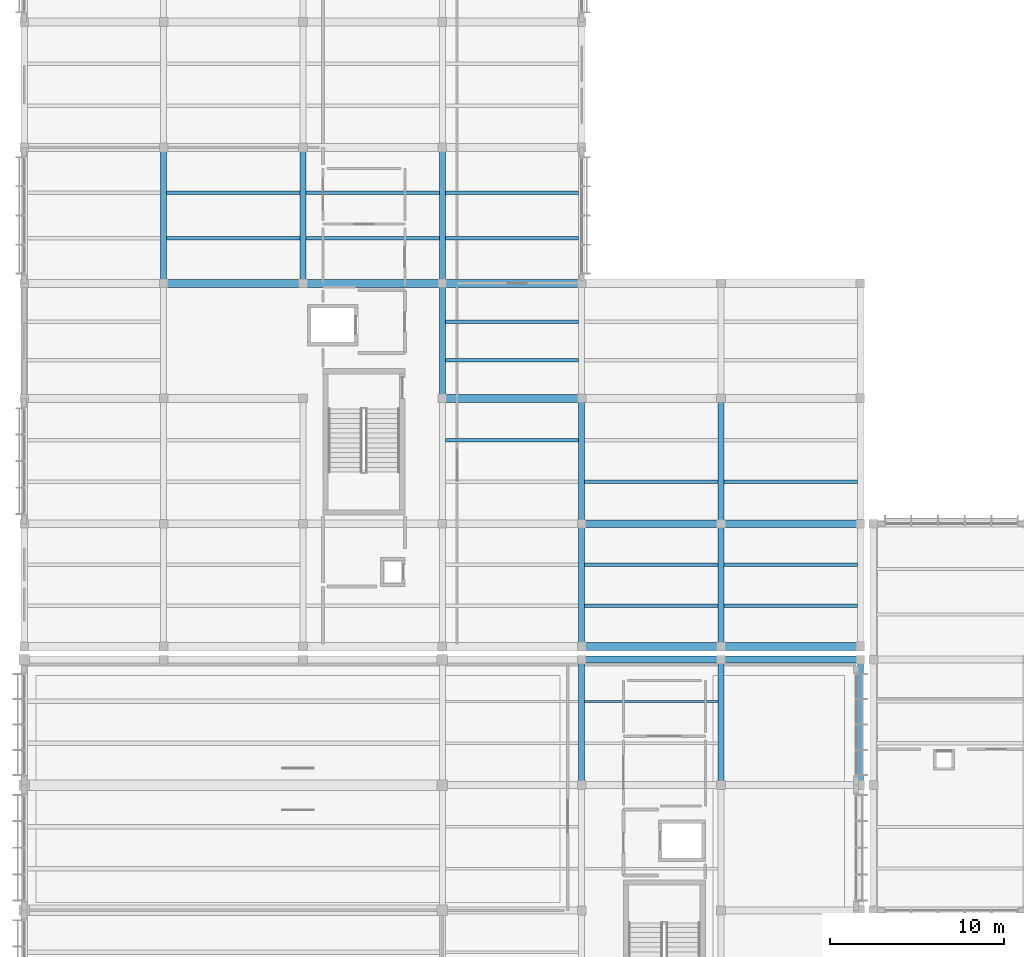
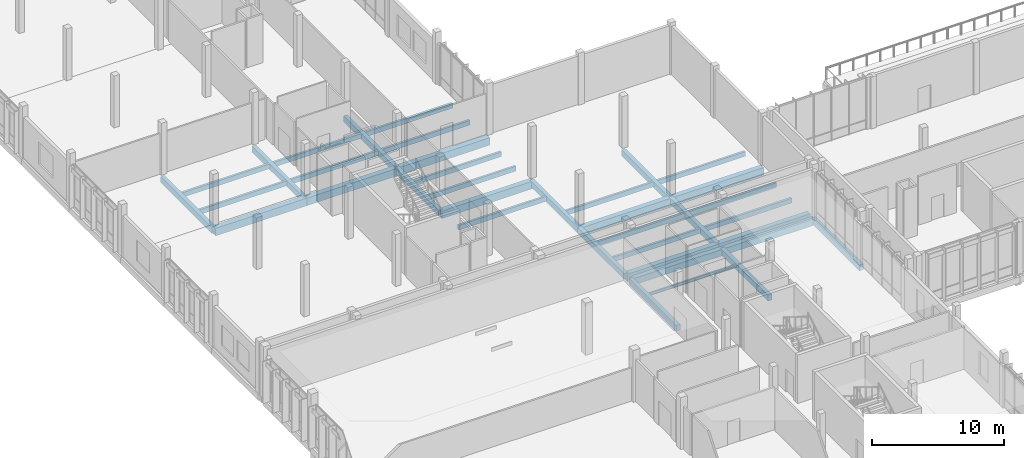
# One storey, part 37 of 177: 37 beams.
"""IFC4 building model written with IfcOpenShell, lengths in metres."""

from ifc_helpers import new_model, si_unit, direction, frame, origin, origin_2d, place, context, subcontext, project, spatial, rectangle, i_section, extrude, material, material_profile, profile_set, type_object, element, save


model = new_model("IFC4")

# Units and contexts
model_context = context("Model", 3, precision=1e-05, world=origin(), true_north=direction((0.0, 1.0)))
body_context = subcontext(model_context, "Body", "Model", "MODEL_VIEW")
ifc_project = project(units=[si_unit("LENGTHUNIT", "METRE"), si_unit("AREAUNIT", "SQUARE_METRE"), si_unit("VOLUMEUNIT", "CUBIC_METRE"), si_unit("PLANEANGLEUNIT", "RADIAN"), si_unit("MASSUNIT", "GRAM", prefix="KILO")], contexts=[model_context])

# Site, building, storey
site_placement = place(None, origin())
site = spatial("IfcSite", under=ifc_project, at=site_placement, CompositionType="ELEMENT")
building_placement = place(site_placement, origin())
building = spatial("IfcBuilding", under=site, at=building_placement, Name="Chiffa Square Polytechnic", CompositionType="ELEMENT")
storey_placement = place(building_placement, frame((0.0, 0.0, 4.800048828125)))
storey = spatial("IfcBuildingStorey", under=building, at=storey_placement, Name="L01", CompositionType="ELEMENT", Elevation=4.800048828125)

# Beams
ifc_material_1 = material(Name="Concrete C35/45", Category="concrete")
ifc_material_profile_1 = material_profile(ifc_material_1, rectangle(XDim=0.35009765625, YDim=0.550048828125, at=origin_2d()), Name="RC 350x550")
ifc_profile_set_1 = profile_set([ifc_material_profile_1], Name="Concrete C35/45")
beam_type_1 = type_object("IfcBeamType", Name="BM-RC-350X550", PredefinedType="BEAM", material=ifc_profile_set_1)
for number, where, z_axis, x_axis, name in (
    (1, (32.0, 28.800048828125, -0.554931640625), (0.0, 1.0, 0.0), (-1.0, 0.0, 0.0), "Primary floor girder BM-V3-L01-Y-0320-0288"),
    (2, (40.0, 28.800048828125, -0.554931640625), (0.0, 1.0, 0.0), (-1.0, 0.0, 0.0), "Primary floor girder BM-V3-L01-Y-0400-0288"),
    (3, (48.0, 28.800048828125, -0.554931640625), (0.0, 1.0, 0.0), (-1.0, 0.0, 0.0), "Primary floor girder BM-V3-L01-Y-0480-0288"),
):
    element("IfcBeam", number, at=place(storey_placement, frame(where, z_axis=z_axis, x_axis=x_axis)), inside=storey, type_object=beam_type_1, Name=name, PredefinedType="BEAM", context=body_context, shape_type="SweptSolid", body=[
        extrude(rectangle(XDim=0.35009765625, YDim=0.550048828125, at=origin_2d()), origin(), (0.0, 0.0, 1.0), 7.199951171875),
    ])
for number, where, z_axis, x_axis, name in (
    (4, (8.0, 57.60009765625, -0.554931640625), (0.0, 1.0, 0.0), (-1.0, 0.0, 0.0), "Primary floor girder BM-V6-L01-Y-0080-0576"),
    (5, (16.0, 57.60009765625, -0.554931640625), (0.0, 1.0, 0.0), (-1.0, 0.0, 0.0), "Primary floor girder BM-V6-L01-Y-0160-0576"),
):
    element("IfcBeam", number, at=place(storey_placement, frame(where, z_axis=z_axis, x_axis=x_axis)), inside=storey, type_object=beam_type_1, Name=name, PredefinedType="BEAM", context=body_context, shape_type="SweptSolid", body=[
        extrude(rectangle(XDim=0.35009765625, YDim=0.550048828125, at=origin_2d()), origin(), (0.0, 0.0, 1.0), 7.7998046875),
    ])
beam_1_placement = place(storey_placement, frame((24.0, 51.0, -0.554931640625), z_axis=(0.0, 1.0, 0.0), x_axis=(-1.0, 0.0, 0.0)))
element("IfcBeam", 6, at=beam_1_placement, inside=storey, type_object=beam_type_1, Name="Primary floor girder BM-V6-L01-Y-0240-0510", PredefinedType="BEAM", context=body_context, shape_type="SweptSolid", body=[
    extrude(rectangle(XDim=0.35009765625, YDim=0.550048828125, at=origin_2d()), origin(), (0.0, 0.0, 1.0), 6.60009765625),
])
beam_2_placement = place(storey_placement, frame((24.0, 57.60009765625, -0.554931640625), z_axis=(0.0, 1.0, 0.0), x_axis=(-1.0, 0.0, 0.0)))
element("IfcBeam", 7, at=beam_2_placement, inside=storey, type_object=beam_type_1, Name="Primary floor girder BM-V6-L01-Y-0240-0576", PredefinedType="BEAM", context=body_context, shape_type="SweptSolid", body=[
    extrude(rectangle(XDim=0.35009765625, YDim=0.550048828125, at=origin_2d()), origin(), (0.0, 0.0, 1.0), 7.7998046875),
])
beam_3_placement = place(storey_placement, frame((32.0, 36.75, -0.554931640625), z_axis=(0.0, 1.0, 0.0), x_axis=(-1.0, 0.0, 0.0)))
element("IfcBeam", 8, at=beam_3_placement, inside=storey, type_object=beam_type_1, Name="Primary floor girder BM-V6-L01-Y-0320-0368", PredefinedType="BEAM", context=body_context, shape_type="SweptSolid", body=[
    extrude(rectangle(XDim=0.35009765625, YDim=0.550048828125, at=origin_2d()), origin(), (0.0, 0.0, 1.0), 7.050048828125),
])
beam_4_placement = place(storey_placement, frame((32.0, 43.800048828125, -0.554931640625), z_axis=(0.0, 1.0, 0.0), x_axis=(-1.0, 0.0, 0.0)))
element("IfcBeam", 9, at=beam_4_placement, inside=storey, type_object=beam_type_1, Name="Primary floor girder BM-V6-L01-Y-0320-0438", PredefinedType="BEAM", context=body_context, shape_type="SweptSolid", body=[
    extrude(rectangle(XDim=0.35009765625, YDim=0.550048828125, at=origin_2d()), origin(), (0.0, 0.0, 1.0), 7.199951171875),
])
beam_5_placement = place(storey_placement, frame((40.0, 36.75, -0.554931640625), z_axis=(0.0, 1.0, 0.0), x_axis=(-1.0, 0.0, 0.0)))
element("IfcBeam", 10, at=beam_5_placement, inside=storey, type_object=beam_type_1, Name="Primary floor girder BM-V6-L01-Y-0400-0368", PredefinedType="BEAM", context=body_context, shape_type="SweptSolid", body=[
    extrude(rectangle(XDim=0.35009765625, YDim=0.550048828125, at=origin_2d()), origin(), (0.0, 0.0, 1.0), 7.050048828125),
])
beam_6_placement = place(storey_placement, frame((40.0, 43.800048828125, -0.554931640625), z_axis=(0.0, 1.0, 0.0), x_axis=(-1.0, 0.0, 0.0)))
element("IfcBeam", 11, at=beam_6_placement, inside=storey, type_object=beam_type_1, Name="Primary floor girder BM-V6-L01-Y-0400-0438", PredefinedType="BEAM", context=body_context, shape_type="SweptSolid", body=[
    extrude(rectangle(XDim=0.35009765625, YDim=0.550048828125, at=origin_2d()), origin(), (0.0, 0.0, 1.0), 7.199951171875),
])
ifc_material_profile_2 = material_profile(ifc_material_1, rectangle(XDim=0.39990234375, YDim=0.60009765625, at=origin_2d()), Name="RC 400x600")
ifc_profile_set_2 = profile_set([ifc_material_profile_2], Name="Concrete C35/45")
beam_type_2 = type_object("IfcBeamType", Name="BM-RC-400X600", PredefinedType="BEAM", material=ifc_profile_set_2)
for number, where, z_axis, x_axis, name in (
    (12, (32.0, 36.0, -0.580078125), (1.0, 0.0, 0.0), (0.0, 1.0, 0.0), "Primary floor girder BM-V3-L01-X-0320-0360"),
    (13, (40.0, 36.0, -0.580078125), (1.0, 0.0, 0.0), (0.0, 1.0, 0.0), "Primary floor girder BM-V3-L01-X-0400-0360"),
):
    element("IfcBeam", number, at=place(storey_placement, frame(where, z_axis=z_axis, x_axis=x_axis)), inside=storey, type_object=beam_type_2, Name=name, PredefinedType="BEAM", context=body_context, shape_type="SweptSolid", body=[
        extrude(rectangle(XDim=0.39990234375, YDim=0.60009765625, at=origin_2d()), origin(), (0.0, 0.0, 1.0), 8.0),
    ])
ifc_material_profile_3 = material_profile(ifc_material_1, rectangle(XDim=0.449951171875, YDim=0.699951171875, at=origin_2d()), Name="RC 450x700")
ifc_profile_set_3 = profile_set([ifc_material_profile_3], Name="Concrete C35/45")
beam_type_3 = type_object("IfcBeamType", Name="BM-RC-450X700", PredefinedType="BEAM", material=ifc_profile_set_3)
for number, where, z_axis, x_axis, name in (
    (14, (32.0, 36.75, -0.630126953125), (1.0, 0.0, 0.0), (0.0, 1.0, 0.0), "Primary floor girder BM-V6-L01-X-0320-0368"),
    (15, (40.0, 36.75, -0.630126953125), (1.0, 0.0, 0.0), (0.0, 1.0, 0.0), "Primary floor girder BM-V6-L01-X-0400-0368"),
    (16, (32.0, 43.800048828125, -0.630126953125), (1.0, 0.0, 0.0), (0.0, 1.0, 0.0), "Primary floor girder BM-V6-L01-X-0320-0438"),
    (17, (40.0, 43.800048828125, -0.630126953125), (1.0, 0.0, 0.0), (0.0, 1.0, 0.0), "Primary floor girder BM-V6-L01-X-0400-0438"),
    (18, (24.0, 51.0, -0.630126953125), (1.0, 0.0, 0.0), (0.0, 1.0, 0.0), "Primary floor girder BM-V6-L01-X-0240-0510"),
    (19, (8.0, 57.60009765625, -0.630126953125), (1.0, 0.0, 0.0), (0.0, 1.0, 0.0), "Primary floor girder BM-V6-L01-X-0080-0576"),
    (20, (16.0, 57.60009765625, -0.630126953125), (1.0, 0.0, 0.0), (0.0, 1.0, 0.0), "Primary floor girder BM-V6-L01-X-0160-0576"),
    (21, (24.0, 57.60009765625, -0.630126953125), (1.0, 0.0, 0.0), (0.0, 1.0, 0.0), "Primary floor girder BM-V6-L01-X-0240-0576"),
):
    element("IfcBeam", number, at=place(storey_placement, frame(where, z_axis=z_axis, x_axis=x_axis)), inside=storey, type_object=beam_type_3, Name=name, PredefinedType="BEAM", context=body_context, shape_type="SweptSolid", body=[
        extrude(rectangle(XDim=0.449951171875, YDim=0.699951171875, at=origin_2d()), origin(), (0.0, 0.0, 1.0), 8.0),
    ])
ifc_material_2 = material(Name="Glulam GL28h", Category="wood")
ifc_material_profile_4 = material_profile(ifc_material_2, rectangle(XDim=0.199951171875, YDim=0.43994140625, at=origin_2d()), Name="GL28h 200x440")
ifc_profile_set_4 = profile_set([ifc_material_profile_4], Name="Glulam GL28h")
beam_type_4 = type_object("IfcBeamType", Name="JST-GL-200X440", PredefinedType="JOIST", material=ifc_profile_set_4)
for number, where, z_axis, x_axis, name in (
    (22, (8.173095703125, 60.199951171875, -0.5), (1.0, 0.0, 0.0), (0.0, 1.0, 0.0), "Secondary floor joist JST-V6-L01-0080-0602"),
    (23, (8.173095703125, 62.800048828125, -0.5), (1.0, 0.0, 0.0), (0.0, 1.0, 0.0), "Secondary floor joist JST-V6-L01-0080-0628"),
    (24, (16.173095703125, 60.199951171875, -0.5), (1.0, 0.0, 0.0), (0.0, 1.0, 0.0), "Secondary floor joist JST-V6-L01-0160-0602"),
    (25, (16.173095703125, 62.800048828125, -0.5), (1.0, 0.0, 0.0), (0.0, 1.0, 0.0), "Secondary floor joist JST-V6-L01-0160-0628"),
    (26, (24.173095703125, 48.60009765625, -0.5), (1.0, 0.0, 0.0), (0.0, 1.0, 0.0), "Secondary floor joist JST-V6-L01-0240-0486"),
    (27, (24.173095703125, 53.199951171875, -0.5), (1.0, 0.0, 0.0), (0.0, 1.0, 0.0), "Secondary floor joist JST-V6-L01-0240-0532"),
    (28, (24.173095703125, 55.39990234375, -0.5), (1.0, 0.0, 0.0), (0.0, 1.0, 0.0), "Secondary floor joist JST-V6-L01-0240-0554"),
    (29, (24.173095703125, 60.199951171875, -0.5), (1.0, 0.0, 0.0), (0.0, 1.0, 0.0), "Secondary floor joist JST-V6-L01-0240-0602"),
    (30, (24.173095703125, 62.800048828125, -0.5), (1.0, 0.0, 0.0), (0.0, 1.0, 0.0), "Secondary floor joist JST-V6-L01-0240-0628"),
    (31, (32.173095703125, 39.10009765625, -0.5), (1.0, 0.0, 0.0), (0.0, 1.0, 0.0), "Secondary floor joist JST-V6-L01-0320-0391"),
    (32, (32.173095703125, 41.449951171875, -0.5), (1.0, 0.0, 0.0), (0.0, 1.0, 0.0), "Secondary floor joist JST-V6-L01-0320-0414"),
    (33, (32.173095703125, 46.199951171875, -0.5), (1.0, 0.0, 0.0), (0.0, 1.0, 0.0), "Secondary floor joist JST-V6-L01-0320-0462"),
    (34, (40.173095703125, 39.10009765625, -0.5), (1.0, 0.0, 0.0), (0.0, 1.0, 0.0), "Secondary floor joist JST-V6-L01-0400-0391"),
    (35, (40.173095703125, 41.449951171875, -0.5), (1.0, 0.0, 0.0), (0.0, 1.0, 0.0), "Secondary floor joist JST-V6-L01-0400-0414"),
    (36, (40.173095703125, 46.199951171875, -0.5), (1.0, 0.0, 0.0), (0.0, 1.0, 0.0), "Secondary floor joist JST-V6-L01-0400-0462"),
):
    element("IfcBeam", number, at=place(storey_placement, frame(where, z_axis=z_axis, x_axis=x_axis)), inside=storey, type_object=beam_type_4, Name=name, PredefinedType="JOIST", context=body_context, shape_type="SweptSolid", body=[
        extrude(rectangle(XDim=0.199951171875, YDim=0.43994140625, at=origin_2d()), origin(), (0.0, 0.0, 1.0), 7.65380859375),
    ])
ifc_material_3 = material(Name="Steel S355", Category="steel")
ifc_material_profile_5 = material_profile(ifc_material_3, i_section(OverallWidth=0.135009765625, OverallDepth=0.27001953125, WebThickness=0.006591796875, FlangeThickness=0.01025390625, FilletRadius=0.014892578125, at=origin_2d()), Name="IPE 270")
ifc_profile_set_5 = profile_set([ifc_material_profile_5], Name="Steel S355")
beam_type_5 = type_object("IfcBeamType", Name="JST-STL-IPE270", PredefinedType="JOIST", material=ifc_profile_set_5)
beam_7_placement = place(storey_placement, frame((32.173095703125, 33.60009765625, -0.4150390625), z_axis=(1.0, 0.0, 0.0), x_axis=(0.0, 1.0, 0.0)))
element("IfcBeam", 37, at=beam_7_placement, inside=storey, type_object=beam_type_5, Name="Secondary floor joist JST-V3-L01-0320-0336", PredefinedType="JOIST", context=body_context, shape_type="SweptSolid", body=[
    extrude(i_section(OverallWidth=0.135009765625, OverallDepth=0.27001953125, WebThickness=0.006591796875, FlangeThickness=0.01025390625, FilletRadius=0.014892578125, at=origin_2d()), origin(), (0.0, 0.0, 1.0), 7.65380859375),
])

save(model, "model.ifc")
